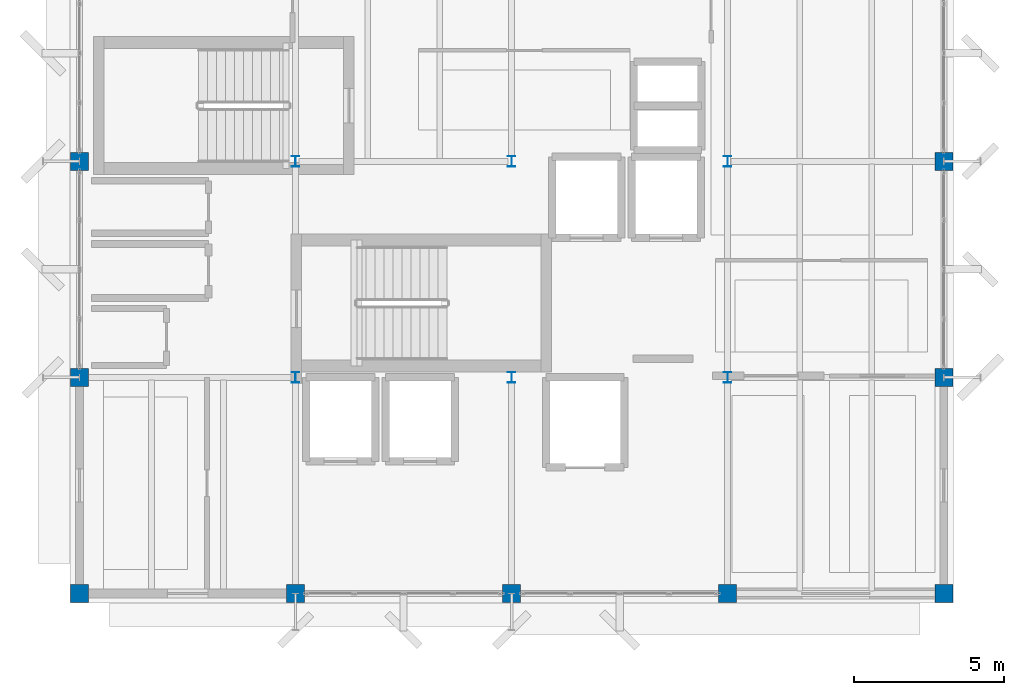
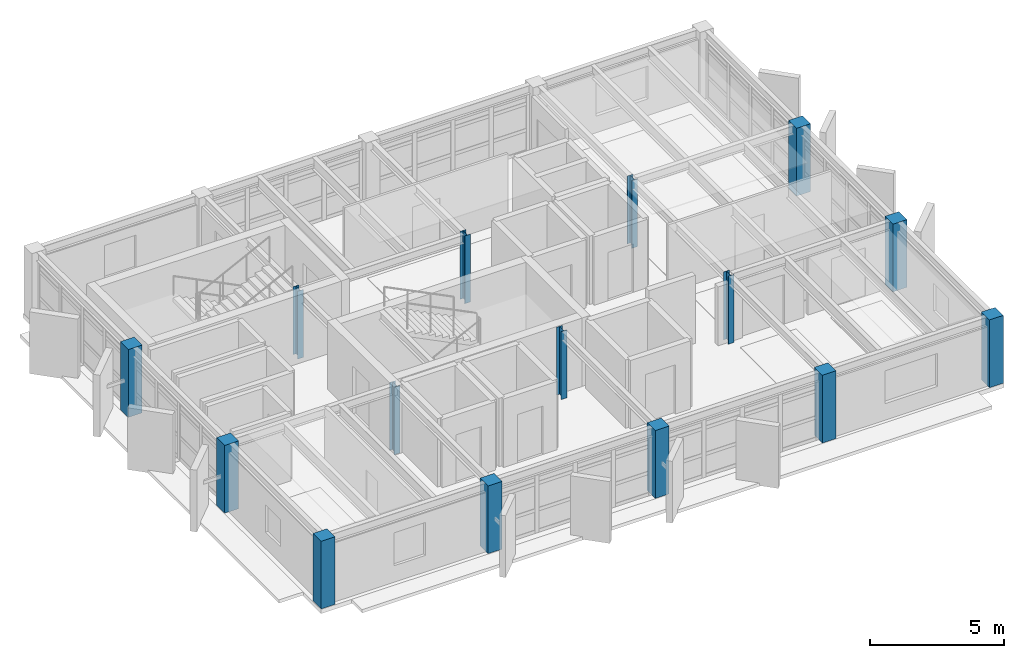
# One storey, part 1 of 15: 15 columns.
"""IFC4 building model written with IfcOpenShell, lengths in metres."""

from ifc_helpers import new_model, si_unit, direction, frame, origin, origin_2d, place, context, subcontext, project, spatial, rectangle, i_section, extrude, material, material_profile, profile_set, type_object, element, save


model = new_model("IFC4")

# Units and contexts
model_context = context("Model", 3, precision=1e-05, world=origin(), true_north=direction((0.0, 1.0)))
body_context = subcontext(model_context, "Body", "Model", "MODEL_VIEW")
ifc_project = project(units=[si_unit("LENGTHUNIT", "METRE"), si_unit("AREAUNIT", "SQUARE_METRE"), si_unit("VOLUMEUNIT", "CUBIC_METRE"), si_unit("PLANEANGLEUNIT", "RADIAN"), si_unit("MASSUNIT", "GRAM", prefix="KILO")], contexts=[model_context])

# Site, building, storey
site_placement = place(None, origin())
site = spatial("IfcSite", under=ifc_project, at=site_placement, CompositionType="ELEMENT")
building_placement = place(site_placement, origin())
building = spatial("IfcBuilding", under=site, at=building_placement, Name="Kandorven Conservatory and Botanical Research Centre", CompositionType="ELEMENT")
storey_placement = place(building_placement, frame((0.0, 0.0, 56.10009765625)))
storey = spatial("IfcBuildingStorey", under=building, at=storey_placement, Name="L14", CompositionType="ELEMENT", Elevation=56.10009765625)

# Columns
ifc_material_1 = material(Name="Steel S355 (IS 2062 E350)", Category="steel")
ifc_material_profile_1 = material_profile(ifc_material_1, i_section(OverallWidth=0.25, OverallDepth=0.35009765625, WebThickness=0.010009765625, FlangeThickness=0.01171875, at=origin_2d()))
ifc_profile_set_1 = profile_set([ifc_material_profile_1], Name="Steel S355 (IS 2062 E350)")
column_type_1 = type_object("IfcColumnType", Name="Col_SC-03", PredefinedType="COLUMN", material=ifc_profile_set_1)
for number, where, z_axis, x_axis, name in (
    (1, (13.199951171875, 13.199951171875, 0.0), (0.0, 0.0, 1.0), (1.0, 0.0, 0.0), "Column SC-03 TWR L14 (2,2)"),
    (2, (13.199951171875, 20.39990234375, 0.0), (0.0, 0.0, 1.0), (1.0, 0.0, 0.0), "Column SC-03 TWR L14 (2,3)"),
    (3, (20.39990234375, 13.199951171875, 0.0), (0.0, 0.0, 1.0), (1.0, 0.0, 0.0), "Column SC-03 TWR L14 (3,2)"),
    (4, (20.39990234375, 20.39990234375, 0.0), (0.0, 0.0, 1.0), (1.0, 0.0, 0.0), "Column SC-03 TWR L14 (3,3)"),
    (5, (27.60009765625, 13.199951171875, 0.0), (0.0, 0.0, 1.0), (1.0, 0.0, 0.0), "Column SC-03 TWR L14 (4,2)"),
    (6, (27.60009765625, 20.39990234375, 0.0), (0.0, 0.0, 1.0), (1.0, 0.0, 0.0), "Column SC-03 TWR L14 (4,3)"),
):
    element("IfcColumn", number, at=place(storey_placement, frame(where, z_axis=z_axis, x_axis=x_axis)), inside=storey, type_object=column_type_1, Name=name, PredefinedType="COLUMN", context=body_context, shape_type="SweptSolid", body=[
        extrude(i_section(OverallWidth=0.25, OverallDepth=0.35009765625, WebThickness=0.010009765625, FlangeThickness=0.01171875, at=origin_2d()), origin(), (0.0, 0.0, 1.0), 3.087890625),
    ])
ifc_material_2 = material(Name="Concrete C40/50 (M50)", Category="concrete")
ifc_material_profile_2 = material_profile(ifc_material_2, rectangle(XDim=0.60009765625, YDim=0.60009765625, at=origin_2d()))
ifc_profile_set_2 = profile_set([ifc_material_profile_2], Name="Concrete C40/50 (M50)")
column_type_2 = type_object("IfcColumnType", Name="Col_TC-04", PredefinedType="COLUMN", material=ifc_profile_set_2)
for number, where, z_axis, x_axis, name in (
    (7, (6.0, 6.0, 0.0), (0.0, 0.0, 1.0), (1.0, 0.0, 0.0), "Column TC-04 TWR L14 (1,1)"),
    (8, (6.0, 13.199951171875, 0.0), (0.0, 0.0, 1.0), (1.0, 0.0, 0.0), "Column TC-04 TWR L14 (1,2)"),
    (9, (6.0, 20.39990234375, 0.0), (0.0, 0.0, 1.0), (1.0, 0.0, 0.0), "Column TC-04 TWR L14 (1,3)"),
    (10, (13.199951171875, 6.0, 0.0), (0.0, 0.0, 1.0), (1.0, 0.0, 0.0), "Column TC-04 TWR L14 (2,1)"),
    (11, (20.39990234375, 6.0, 0.0), (0.0, 0.0, 1.0), (1.0, 0.0, 0.0), "Column TC-04 TWR L14 (3,1)"),
    (12, (27.60009765625, 6.0, 0.0), (0.0, 0.0, 1.0), (1.0, 0.0, 0.0), "Column TC-04 TWR L14 (4,1)"),
    (13, (34.800048828125, 6.0, 0.0), (0.0, 0.0, 1.0), (1.0, 0.0, 0.0), "Column TC-04 TWR L14 (5,1)"),
    (14, (34.800048828125, 13.199951171875, 0.0), (0.0, 0.0, 1.0), (1.0, 0.0, 0.0), "Column TC-04 TWR L14 (5,2)"),
    (15, (34.800048828125, 20.39990234375, 0.0), (0.0, 0.0, 1.0), (1.0, 0.0, 0.0), "Column TC-04 TWR L14 (5,3)"),
):
    element("IfcColumn", number, at=place(storey_placement, frame(where, z_axis=z_axis, x_axis=x_axis)), inside=storey, type_object=column_type_2, Name=name, PredefinedType="COLUMN", context=body_context, shape_type="SweptSolid", body=[
        extrude(rectangle(XDim=0.60009765625, YDim=0.60009765625, at=origin_2d()), origin(), (0.0, 0.0, 1.0), 3.087890625),
    ])

save(model, "model.ifc")
